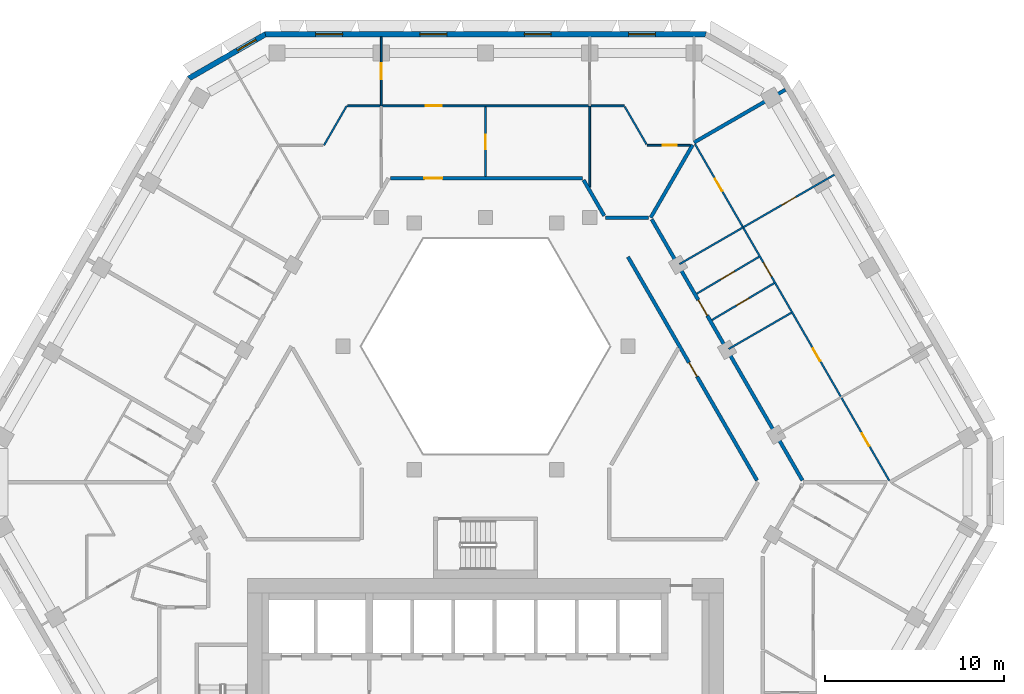
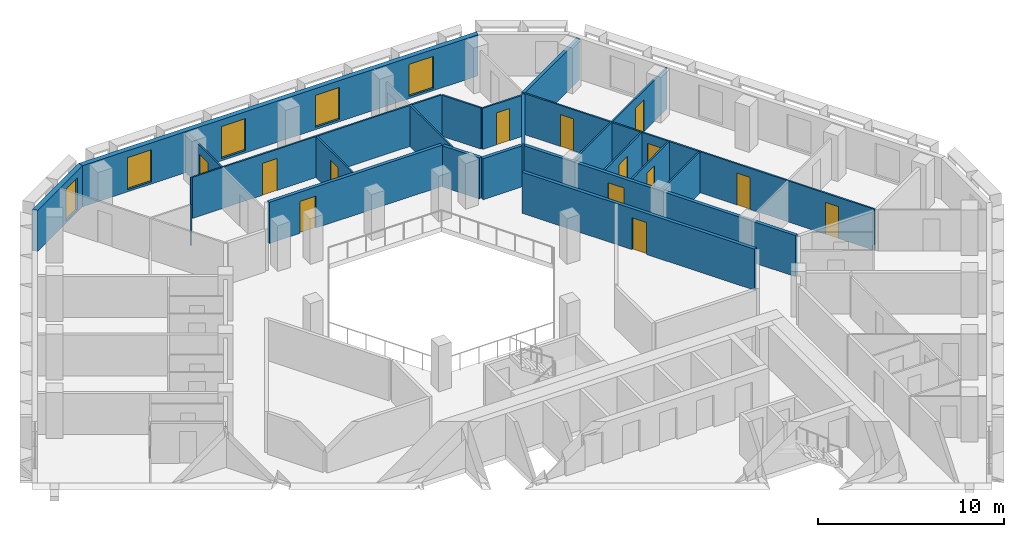
# One storey, part 8 of 15: 22 walls, 14 doors, 5 windows, 19 openings.
"""IFC4 building model written with IfcOpenShell, lengths in metres."""

from ifc_helpers import new_model, si_unit, direction, frame, frame_2d, origin, place, context, subcontext, project, spatial, polyline, rectangle, outline, extrude, material, layer, layer_set, type_object, element, fill, save


model = new_model("IFC4")

# Units and contexts
model_context = context("Model", 3, precision=1e-05, world=origin(), true_north=direction((0.0, 1.0)))
body_context = subcontext(model_context, "Body", "Model", "MODEL_VIEW")
ifc_project = project(units=[si_unit("LENGTHUNIT", "METRE"), si_unit("AREAUNIT", "SQUARE_METRE"), si_unit("VOLUMEUNIT", "CUBIC_METRE"), si_unit("PLANEANGLEUNIT", "RADIAN"), si_unit("MASSUNIT", "GRAM", prefix="KILO")], contexts=[model_context])

# Site, building, storey
site_placement = place(None, origin())
site = spatial("IfcSite", under=ifc_project, at=site_placement, CompositionType="ELEMENT")
building_placement = place(site_placement, origin())
building = spatial("IfcBuilding", under=site, at=building_placement, Name="Beryl Residences", CompositionType="ELEMENT")
storey_placement = place(building_placement, frame((0.0, 0.0, 141.60009765625)))
storey = spatial("IfcBuildingStorey", under=building, at=storey_placement, Name="L43", CompositionType="ELEMENT", Elevation=141.60009765625)

# Wall, openings, windows
ifc_material_1 = material(Name="Composite metal panel with mineral wool insulation")
ifc_layer_1 = layer(ifc_material_1, 0.300048828125)
ifc_layer_set_1 = layer_set([ifc_layer_1], Name="ES1 pale metal composite panel wall 300 mm")
wall_type_1 = type_object("IfcWallType", Name="ES1 pale metal composite panel wall 300 mm", PredefinedType="SOLIDWALL", material=ifc_layer_set_1)
wall_1_placement = place(storey_placement, frame((12.35498046875, 25.449951171875, 0.0), z_axis=(0.0, 0.0, 1.0), x_axis=(-1.0, 0.0, 0.0)))
wall_1 = element("IfcWall", 1, at=wall_1_placement, inside=storey, type_object=wall_type_1, Name="ES1 external wall L43 N", PredefinedType="SOLIDWALL", context=body_context, shape_type="SweptSolid", body=[
    extrude(outline(polyline([(0.0, -0.14990234375), (24.7099609375, -0.14990234375), (24.629638671875, 0.14990234375), (0.080322265625, 0.14990234375), (0.0, -0.14990234375)])), origin(), (0.0, 0.0, 1.0), 2.699951171875),
])
opening_1_placement = place(wall_1_placement, frame((2.85791015625, 0.0, 0.14990234375)))
opening_1 = element("IfcOpeningElement", 2, at=opening_1_placement, cuts=wall_1, Name="Opening W1", PredefinedType="OPENING", context=body_context, shape_type="SweptSolid", body=[
    extrude(rectangle(XDim=1.5, YDim=2.10009765625, at=frame_2d((0.75, 1.050048828125))), frame((0.0, 0.159912109375, 0.0), z_axis=(0.0, -1.0, 0.0), x_axis=(1.0, 0.0, 0.0)), (0.0, 0.0, 1.0), 0.320068359375),
])
opening_2_placement = place(wall_1_placement, frame((8.68896484375, 0.0, 0.14990234375)))
opening_2 = element("IfcOpeningElement", 3, at=opening_2_placement, cuts=wall_1, Name="Opening W1", PredefinedType="OPENING", context=body_context, shape_type="SweptSolid", body=[
    extrude(rectangle(XDim=1.5, YDim=2.10009765625, at=frame_2d((0.75, 1.050048828125))), frame((0.0, 0.159912109375, 0.0), z_axis=(0.0, -1.0, 0.0), x_axis=(1.0, 0.0, 0.0)), (0.0, 0.0, 1.0), 0.320068359375),
])
opening_3_placement = place(wall_1_placement, frame((14.52099609375, 0.0, 0.14990234375)))
opening_3 = element("IfcOpeningElement", 4, at=opening_3_placement, cuts=wall_1, Name="Opening W1", PredefinedType="OPENING", context=body_context, shape_type="SweptSolid", body=[
    extrude(rectangle(XDim=1.5, YDim=2.10009765625, at=frame_2d((0.75, 1.050048828125))), frame((0.0, 0.159912109375, 0.0), z_axis=(0.0, -1.0, 0.0), x_axis=(1.0, 0.0, 0.0)), (0.0, 0.0, 1.0), 0.320068359375),
])
opening_4_placement = place(wall_1_placement, frame((20.35205078125, 0.0, 0.14990234375)))
opening_4 = element("IfcOpeningElement", 5, at=opening_4_placement, cuts=wall_1, Name="Opening W1", PredefinedType="OPENING", context=body_context, shape_type="SweptSolid", body=[
    extrude(rectangle(XDim=1.5, YDim=2.10009765625, at=frame_2d((0.75, 1.050048828125))), frame((0.0, 0.159912109375, 0.0), z_axis=(0.0, -1.0, 0.0), x_axis=(1.0, 0.0, 0.0)), (0.0, 0.0, 1.0), 0.320068359375),
])
ifc_material_2 = material(Name="Aluminium and clear glass", Category="aluminium")
window_type_1 = type_object("IfcWindowType", Name="W1 cell window 1500 x 2100 mm", PartitioningType="SINGLE_PANEL", PredefinedType="WINDOW", material=ifc_material_2)
window_1_placement = place(opening_1_placement, origin())
window_1 = element("IfcWindow", 6, at=window_1_placement, inside=storey, type_object=window_type_1, Name="W1 window L43 N 2", OverallHeight=2.10009765625, OverallWidth=1.5, PartitioningType="SINGLE_PANEL", PredefinedType="WINDOW", context=body_context, shape_type="SweptSolid", body=[
    extrude(rectangle(XDim=1.5, YDim=2.10009765625, at=frame_2d((0.75, 1.050048828125))), frame((0.0, 0.030029296875, 0.0), z_axis=(0.0, -1.0, 0.0), x_axis=(1.0, 0.0, 0.0)), (0.0, 0.0, 1.0), 0.06005859375),
])
fill(opening_1, window_1)
window_2_placement = place(opening_2_placement, origin())
window_2 = element("IfcWindow", 7, at=window_2_placement, inside=storey, type_object=window_type_1, Name="W1 window L43 N 4", OverallHeight=2.10009765625, OverallWidth=1.5, PartitioningType="SINGLE_PANEL", PredefinedType="WINDOW", context=body_context, shape_type="SweptSolid", body=[
    extrude(rectangle(XDim=1.5, YDim=2.10009765625, at=frame_2d((0.75, 1.050048828125))), frame((0.0, 0.030029296875, 0.0), z_axis=(0.0, -1.0, 0.0), x_axis=(1.0, 0.0, 0.0)), (0.0, 0.0, 1.0), 0.06005859375),
])
fill(opening_2, window_2)
window_3_placement = place(opening_3_placement, origin())
window_3 = element("IfcWindow", 8, at=window_3_placement, inside=storey, type_object=window_type_1, Name="W1 window L43 N 6", OverallHeight=2.10009765625, OverallWidth=1.5, PartitioningType="SINGLE_PANEL", PredefinedType="WINDOW", context=body_context, shape_type="SweptSolid", body=[
    extrude(rectangle(XDim=1.5, YDim=2.10009765625, at=frame_2d((0.75, 1.050048828125))), frame((0.0, 0.030029296875, 0.0), z_axis=(0.0, -1.0, 0.0), x_axis=(1.0, 0.0, 0.0)), (0.0, 0.0, 1.0), 0.06005859375),
])
fill(opening_3, window_3)
window_4_placement = place(opening_4_placement, origin())
window_4 = element("IfcWindow", 9, at=window_4_placement, inside=storey, type_object=window_type_1, Name="W1 window L43 N 8", OverallHeight=2.10009765625, OverallWidth=1.5, PartitioningType="SINGLE_PANEL", PredefinedType="WINDOW", context=body_context, shape_type="SweptSolid", body=[
    extrude(rectangle(XDim=1.5, YDim=2.10009765625, at=frame_2d((0.75, 1.050048828125))), frame((0.0, 0.030029296875, 0.0), z_axis=(0.0, -1.0, 0.0), x_axis=(1.0, 0.0, 0.0)), (0.0, 0.0, 1.0), 0.06005859375),
])
fill(opening_4, window_4)

# Wall, opening, window
wall_2_placement = place(storey_placement, frame((-12.280029296875, 25.469970703125, 0.0), z_axis=(0.0, 0.0, 1.0), x_axis=(-0.866022959057, -0.500004234368, 0.0)))
wall_2 = element("IfcWall", 10, at=wall_2_placement, inside=storey, type_object=wall_type_1, Name="ES1 external wall L43 N-NW", PredefinedType="SOLIDWALL", context=body_context, shape_type="SweptSolid", body=[
    extrude(outline(polyline([(0.0, -0.14990234375), (5.0, -0.14990234375), (4.919677734375, 0.14990234375), (0.080322265625, 0.14990234375), (0.0, -0.14990234375)])), origin(), (0.0, 0.0, 1.0), 2.699951171875),
])
opening_5_placement = place(wall_2_placement, frame((0.64990234375, 0.0, 0.14990234375)))
opening_5 = element("IfcOpeningElement", 11, at=opening_5_placement, cuts=wall_2, Name="Opening W2", PredefinedType="OPENING", context=body_context, shape_type="SweptSolid", body=[
    extrude(rectangle(XDim=1.199951171875, YDim=2.10009765625, at=frame_2d((0.60009765625, 1.050048828125))), frame((0.0, 0.159912109375, 0.0), z_axis=(0.0, -1.0, 0.0), x_axis=(1.0, 0.0, 0.0)), (0.0, 0.0, 1.0), 0.320068359375),
])
ifc_material_3 = material(Name="Aluminium and clear glass", Category="aluminium")
window_type_2 = type_object("IfcWindowType", Name="W2 chamfer window 1200 x 2100 mm", PartitioningType="SINGLE_PANEL", PredefinedType="WINDOW", material=ifc_material_3)
window_5_placement = place(opening_5_placement, origin())
window_5 = element("IfcWindow", 12, at=window_5_placement, inside=storey, type_object=window_type_2, Name="W2 window L43 N-NW 1", OverallHeight=2.10009765625, OverallWidth=1.199951171875, PartitioningType="SINGLE_PANEL", PredefinedType="WINDOW", context=body_context, shape_type="SweptSolid", body=[
    extrude(rectangle(XDim=1.199951171875, YDim=2.10009765625, at=frame_2d((0.60009765625, 1.050048828125))), frame((0.0, 0.030029296875, 0.0), z_axis=(0.0, -1.0, 0.0), x_axis=(1.0, 0.0, 0.0)), (0.0, 0.0, 1.0), 0.06005859375),
])
fill(opening_5, window_5)

# Wall
ifc_material_4 = material(Name="Gypsum board partition on steel studs", Category="steel")
ifc_layer_2 = layer(ifc_material_4, 0.10009765625)
ifc_layer_set_2 = layer_set([ifc_layer_2], Name="PT1 partition 100 mm gypsum board on steel studs")
wall_type_2 = type_object("IfcWallType", Name="PT1 partition 100 mm gypsum board on steel studs", PredefinedType="PARTITIONING", material=ifc_layer_set_2)
wall_3_placement = place(storey_placement, frame((7.7919921875, 21.39599609375, 0.0), z_axis=(0.0, 0.0, 1.0), x_axis=(0.50012328804, -0.865954211699, 0.0)))
element("IfcWall", 13, at=wall_3_placement, inside=storey, type_object=wall_type_2, Name="Wall PT1 L43 003", PredefinedType="PARTITIONING", context=body_context, shape_type="SweptSolid", body=[
    extrude(rectangle(XDim=2.42529296875, YDim=0.10009765625, at=frame_2d((1.212646484375, 0.0))), origin(), (0.0, 0.0, 1.0), 2.699951171875),
])

# Wall, openings, doors
wall_4_placement = place(storey_placement, frame((11.712890625, 19.31298828125, 0.0), z_axis=(0.0, 0.0, 1.0), x_axis=(0.499999523185, -0.866025679073, 0.0)))
wall_4 = element("IfcWall", 14, at=wall_4_placement, inside=storey, type_object=wall_type_2, Name="Wall PT1 L43 004", PredefinedType="PARTITIONING", context=body_context, shape_type="SweptSolid", body=[
    extrude(rectangle(XDim=21.73828125, YDim=0.10009765625, at=frame_2d((10.869140625, 0.0))), origin(), (0.0, 0.0, 1.0), 2.699951171875),
])
opening_6_placement = place(wall_4_placement, frame((7.654052734375, 0.0, 0.0)))
opening_6 = element("IfcOpeningElement", 15, at=opening_6_placement, cuts=wall_4, Name="Opening D1322", PredefinedType="OPENING", context=body_context, shape_type="SweptSolid", body=[
    extrude(rectangle(XDim=0.89990234375, YDim=2.10009765625, at=frame_2d((0.449951171875, 1.050048828125))), frame((0.0, 0.06005859375, 0.0), z_axis=(0.0, -1.0, 0.0), x_axis=(1.0, 0.0, 0.0)), (0.0, 0.0, 1.0), 0.1201171875),
])
opening_7_placement = place(wall_4_placement, frame((13.201904296875, 0.0, 0.0)))
opening_7 = element("IfcOpeningElement", 16, at=opening_7_placement, cuts=wall_4, Name="Opening D1325", PredefinedType="OPENING", context=body_context, shape_type="SweptSolid", body=[
    extrude(rectangle(XDim=0.800048828125, YDim=2.10009765625, at=frame_2d((0.39990234375, 1.050048828125))), frame((0.0, 0.06005859375, 0.0), z_axis=(0.0, -1.0, 0.0), x_axis=(1.0, 0.0, 0.0)), (0.0, 0.0, 1.0), 0.1201171875),
])
opening_8_placement = place(wall_4_placement, frame((2.241943359375, 0.0, 0.0)))
opening_8 = element("IfcOpeningElement", 17, at=opening_8_placement, cuts=wall_4, Name="Opening D1326", PredefinedType="OPENING", context=body_context, shape_type="SweptSolid", body=[
    extrude(rectangle(XDim=0.800048828125, YDim=2.10009765625, at=frame_2d((0.39990234375, 1.050048828125))), frame((0.0, 0.06005859375, 0.0), z_axis=(0.0, -1.0, 0.0), x_axis=(1.0, 0.0, 0.0)), (0.0, 0.0, 1.0), 0.1201171875),
])
opening_9_placement = place(wall_4_placement, frame((18.696044921875, 0.0, 0.0)))
opening_9 = element("IfcOpeningElement", 18, at=opening_9_placement, cuts=wall_4, Name="Opening D1327", PredefinedType="OPENING", context=body_context, shape_type="SweptSolid", body=[
    extrude(rectangle(XDim=0.800048828125, YDim=2.10009765625, at=frame_2d((0.39990234375, 1.050048828125))), frame((0.0, 0.06005859375, 0.0), z_axis=(0.0, -1.0, 0.0), x_axis=(1.0, 0.0, 0.0)), (0.0, 0.0, 1.0), 0.1201171875),
])
ifc_material_5 = material(Name="Timber door leaf", Category="wood")
door_type_1 = type_object("IfcDoorType", Name="D2 room door 900 x 2100 mm", OperationType="SINGLE_SWING_LEFT", PredefinedType="DOOR", material=ifc_material_5)
door_1_placement = place(opening_6_placement, origin())
door_1 = element("IfcDoor", 19, at=door_1_placement, inside=storey, type_object=door_type_1, Name="Door D1322 L43 001", OperationType="SINGLE_SWING_RIGHT", OverallHeight=2.10009765625, OverallWidth=0.89990234375, PredefinedType="DOOR", context=body_context, shape_type="SweptSolid", body=[
    extrude(rectangle(XDim=0.89990234375, YDim=2.10009765625, at=frame_2d((0.449951171875, 1.050048828125))), frame((0.0, 0.02490234375, 0.0), z_axis=(0.0, -1.0, 0.0), x_axis=(1.0, 0.0, 0.0)), (0.0, 0.0, 1.0), 0.050048828125),
])
fill(opening_6, door_1)
ifc_material_6 = material(Name="Timber door leaf", Category="wood")
door_type_2 = type_object("IfcDoorType", Name="D3 bathroom door 800 x 2100 mm", OperationType="SINGLE_SWING_LEFT", PredefinedType="DOOR", material=ifc_material_6)
door_2_placement = place(opening_7_placement, origin())
door_2 = element("IfcDoor", 20, at=door_2_placement, inside=storey, type_object=door_type_2, Name="Door D1325 L43 001", OperationType="SINGLE_SWING_LEFT", OverallHeight=2.10009765625, OverallWidth=0.800048828125, PredefinedType="DOOR", context=body_context, shape_type="SweptSolid", body=[
    extrude(rectangle(XDim=0.800048828125, YDim=2.10009765625, at=frame_2d((0.39990234375, 1.050048828125))), frame((0.0, 0.02490234375, 0.0), z_axis=(0.0, -1.0, 0.0), x_axis=(1.0, 0.0, 0.0)), (0.0, 0.0, 1.0), 0.050048828125),
])
fill(opening_7, door_2)
door_3_placement = place(opening_8_placement, origin())
door_3 = element("IfcDoor", 21, at=door_3_placement, inside=storey, type_object=door_type_2, Name="Door D1326 L43 001", OperationType="SINGLE_SWING_RIGHT", OverallHeight=2.10009765625, OverallWidth=0.800048828125, PredefinedType="DOOR", context=body_context, shape_type="SweptSolid", body=[
    extrude(rectangle(XDim=0.800048828125, YDim=2.10009765625, at=frame_2d((0.39990234375, 1.050048828125))), frame((0.0, 0.02490234375, 0.0), z_axis=(0.0, -1.0, 0.0), x_axis=(1.0, 0.0, 0.0)), (0.0, 0.0, 1.0), 0.050048828125),
])
fill(opening_8, door_3)
door_4_placement = place(opening_9_placement, origin())
door_4 = element("IfcDoor", 22, at=door_4_placement, inside=storey, type_object=door_type_2, Name="Door D1327 L43 001", OperationType="SINGLE_SWING_LEFT", OverallHeight=2.10009765625, OverallWidth=0.800048828125, PredefinedType="DOOR", context=body_context, shape_type="SweptSolid", body=[
    extrude(rectangle(XDim=0.800048828125, YDim=2.10009765625, at=frame_2d((0.39990234375, 1.050048828125))), frame((0.0, 0.02490234375, 0.0), z_axis=(0.0, -1.0, 0.0), x_axis=(1.0, 0.0, 0.0)), (0.0, 0.0, 1.0), 0.050048828125),
])
fill(opening_9, door_4)

# Wall, opening, door
wall_5_placement = place(storey_placement, frame((9.032958984375, 19.24609375, 0.0), z_axis=(0.0, 0.0, 1.0), x_axis=(1.0, 0.0, 0.0)))
wall_5 = element("IfcWall", 23, at=wall_5_placement, inside=storey, type_object=wall_type_2, Name="Wall PT1 L43 026", PredefinedType="PARTITIONING", context=body_context, shape_type="SweptSolid", body=[
    extrude(rectangle(XDim=2.425048828125, YDim=0.10009765625, at=frame_2d((1.21240234375, 0.0))), origin(), (0.0, 0.0, 1.0), 2.699951171875),
])
opening_10_placement = place(wall_5_placement, frame((0.8701171875, 0.0, 0.0)))
opening_10 = element("IfcOpeningElement", 24, at=opening_10_placement, cuts=wall_5, Name="Opening D1336", PredefinedType="OPENING", context=body_context, shape_type="SweptSolid", body=[
    extrude(rectangle(XDim=0.800048828125, YDim=2.10009765625, at=frame_2d((0.39990234375, 1.050048828125))), frame((0.0, 0.06005859375, 0.0), z_axis=(0.0, -1.0, 0.0), x_axis=(1.0, 0.0, 0.0)), (0.0, 0.0, 1.0), 0.1201171875),
])
door_5_placement = place(opening_10_placement, origin())
door_5 = element("IfcDoor", 25, at=door_5_placement, inside=storey, type_object=door_type_2, Name="Door D1336 L43 001", OperationType="SINGLE_SWING_RIGHT", OverallHeight=2.10009765625, OverallWidth=0.800048828125, PredefinedType="DOOR", context=body_context, shape_type="SweptSolid", body=[
    extrude(rectangle(XDim=0.800048828125, YDim=2.10009765625, at=frame_2d((0.39990234375, 1.050048828125))), frame((0.0, 0.02490234375, 0.0), z_axis=(0.0, -1.0, 0.0), x_axis=(1.0, 0.0, 0.0)), (0.0, 0.0, 1.0), 0.050048828125),
])
fill(opening_10, door_5)

wall_6_placement = place(storey_placement, frame((-7.7060546875, 21.446044921875, 0.0), z_axis=(0.0, 0.0, 1.0), x_axis=(1.0, 0.0, 0.0)))
wall_6 = element("IfcWall", 26, at=wall_6_placement, inside=storey, type_object=wall_type_2, Name="Wall PT1 L43 027", PredefinedType="PARTITIONING", context=body_context, shape_type="SweptSolid", body=[
    extrude(rectangle(XDim=15.468994140625, YDim=0.10009765625, at=frame_2d((7.734375, 0.0))), origin(), (0.0, 0.0, 1.0), 2.699951171875),
])
opening_11_placement = place(wall_6_placement, frame((4.35009765625, 0.0, 0.0)))
opening_11 = element("IfcOpeningElement", 27, at=opening_11_placement, cuts=wall_6, Name="Opening D1329", PredefinedType="OPENING", context=body_context, shape_type="SweptSolid", body=[
    extrude(rectangle(XDim=0.89990234375, YDim=2.10009765625, at=frame_2d((0.449951171875, 1.050048828125))), frame((0.0, 0.06005859375, 0.0), z_axis=(0.0, -1.0, 0.0), x_axis=(1.0, 0.0, 0.0)), (0.0, 0.0, 1.0), 0.1201171875),
])
door_6_placement = place(opening_11_placement, origin())
door_6 = element("IfcDoor", 28, at=door_6_placement, inside=storey, type_object=door_type_1, Name="Door D1329 L43 001", OperationType="SINGLE_SWING_LEFT", OverallHeight=2.10009765625, OverallWidth=0.89990234375, PredefinedType="DOOR", context=body_context, shape_type="SweptSolid", body=[
    extrude(rectangle(XDim=0.89990234375, YDim=2.10009765625, at=frame_2d((0.449951171875, 1.050048828125))), frame((0.0, 0.02490234375, 0.0), z_axis=(0.0, -1.0, 0.0), x_axis=(1.0, 0.0, 0.0)), (0.0, 0.0, 1.0), 0.050048828125),
])
fill(opening_11, door_6)

# Walls
wall_7_placement = place(storey_placement, frame((-9.032958984375, 19.24609375, 0.0), z_axis=(0.0, 0.0, 1.0), x_axis=(0.499963722229, 0.866046347752, 0.0)))
element("IfcWall", 29, at=wall_7_placement, inside=storey, type_object=wall_type_2, Name="Wall PT1 L43 030", PredefinedType="PARTITIONING", context=body_context, shape_type="SweptSolid", body=[
    extrude(rectangle(XDim=2.540283203125, YDim=0.10009765625, at=frame_2d((1.27001953125, 0.0))), origin(), (0.0, 0.0, 1.0), 2.699951171875),
])
wall_8_placement = place(storey_placement, frame((5.8310546875, 16.89990234375, 0.0), z_axis=(0.0, 0.0, 1.0), x_axis=(0.0, 1.0, 0.0)))
element("IfcWall", 30, at=wall_8_placement, inside=storey, type_object=wall_type_2, Name="Wall PT1 L43 038", PredefinedType="PARTITIONING", context=body_context, shape_type="SweptSolid", body=[
    extrude(rectangle(XDim=4.546142578125, YDim=0.10009765625, at=frame_2d((2.27294921875, 0.0))), origin(), (0.0, 0.0, 1.0), 2.699951171875),
])

# Wall, opening, door
wall_9_placement = place(storey_placement, frame((0.0, 17.5, 0.0), z_axis=(0.0, 0.0, 1.0), x_axis=(0.0, 1.0, 0.0)))
wall_9 = element("IfcWall", 31, at=wall_9_placement, inside=storey, type_object=wall_type_2, Name="Wall PT1 L43 043", PredefinedType="PARTITIONING", context=body_context, shape_type="SweptSolid", body=[
    extrude(rectangle(XDim=3.89599609375, YDim=0.10009765625, at=frame_2d((1.947998046875, 0.0))), origin(), (0.0, 0.0, 1.0), 2.699951171875),
])
opening_12_placement = place(wall_9_placement, frame((1.52294921875, 0.0, 0.0)))
opening_12 = element("IfcOpeningElement", 32, at=opening_12_placement, cuts=wall_9, Name="Opening D1331", PredefinedType="OPENING", context=body_context, shape_type="SweptSolid", body=[
    extrude(rectangle(XDim=0.800048828125, YDim=2.10009765625, at=frame_2d((0.39990234375, 1.050048828125))), frame((0.0, 0.06005859375, 0.0), z_axis=(0.0, -1.0, 0.0), x_axis=(1.0, 0.0, 0.0)), (0.0, 0.0, 1.0), 0.1201171875),
])
door_7_placement = place(opening_12_placement, origin())
door_7 = element("IfcDoor", 33, at=door_7_placement, inside=storey, type_object=door_type_2, Name="Door D1331 L43 001", OperationType="SINGLE_SWING_LEFT", OverallHeight=2.10009765625, OverallWidth=0.800048828125, PredefinedType="DOOR", context=body_context, shape_type="SweptSolid", body=[
    extrude(rectangle(XDim=0.800048828125, YDim=2.10009765625, at=frame_2d((0.39990234375, 1.050048828125))), frame((0.0, 0.02490234375, 0.0), z_axis=(0.0, -1.0, 0.0), x_axis=(1.0, 0.0, 0.0)), (0.0, 0.0, 1.0), 0.050048828125),
])
fill(opening_12, door_7)

# Walls
wall_10_placement = place(storey_placement, frame((13.596923828125, 7.85009765625, 0.0), z_axis=(0.0, 0.0, 1.0), x_axis=(0.866015917575, 0.500016430238, 0.0)))
element("IfcWall", 34, at=wall_10_placement, inside=storey, type_object=wall_type_2, Name="Wall PT1 L43 048", PredefinedType="PARTITIONING", context=body_context, shape_type="SweptSolid", body=[
    extrude(rectangle(XDim=4.049560546875, YDim=0.10009765625, at=frame_2d((2.02490234375, 0.0))), origin(), (0.0, 0.0, 1.0), 2.699951171875),
])
wall_11_placement = place(storey_placement, frame((10.85400390625, 12.60009765625, 0.0), z_axis=(0.0, 0.0, 1.0), x_axis=(0.86606561423, 0.499930346997, 0.0)))
element("IfcWall", 35, at=wall_11_placement, inside=storey, type_object=wall_type_2, Name="Wall PT1 L43 049", PredefinedType="PARTITIONING", context=body_context, shape_type="SweptSolid", body=[
    extrude(rectangle(XDim=4.10009765625, YDim=0.10009765625, at=frame_2d((2.050048828125, 0.0))), origin(), (0.0, 0.0, 1.0), 2.699951171875),
])

# Wall, opening, door
wall_12_placement = place(storey_placement, frame((11.81201171875, 10.94189453125, 0.0), z_axis=(0.0, 0.0, 1.0), x_axis=(0.860404104761, 0.509612378687, 0.0)))
wall_12 = element("IfcWall", 36, at=wall_12_placement, inside=storey, type_object=wall_type_2, Name="Wall PT1 L43 051", PredefinedType="PARTITIONING", context=body_context, shape_type="SweptSolid", body=[
    extrude(rectangle(XDim=4.050537109375, YDim=0.10009765625, at=frame_2d((2.025390625, 0.0))), origin(), (0.0, 0.0, 1.0), 2.699951171875),
])
opening_13_placement = place(wall_12_placement, frame((1.550048828125, 0.0, 0.0)))
opening_13 = element("IfcOpeningElement", 37, at=opening_13_placement, cuts=wall_12, Name="Opening D1321", PredefinedType="OPENING", context=body_context, shape_type="SweptSolid", body=[
    extrude(rectangle(XDim=0.89990234375, YDim=2.10009765625, at=frame_2d((0.449951171875, 1.050048828125))), frame((0.0, 0.06005859375, 0.0), z_axis=(0.0, -1.0, 0.0), x_axis=(1.0, 0.0, 0.0)), (0.0, 0.0, 1.0), 0.1201171875),
])
door_8_placement = place(opening_13_placement, origin())
door_8 = element("IfcDoor", 38, at=door_8_placement, inside=storey, type_object=door_type_1, Name="Door D1321 L43 001", OperationType="SINGLE_SWING_LEFT", OverallHeight=2.10009765625, OverallWidth=0.89990234375, PredefinedType="DOOR", context=body_context, shape_type="SweptSolid", body=[
    extrude(rectangle(XDim=0.89990234375, YDim=2.10009765625, at=frame_2d((0.449951171875, 1.050048828125))), frame((0.0, 0.02490234375, 0.0), z_axis=(0.0, -1.0, 0.0), x_axis=(1.0, 0.0, 0.0)), (0.0, 0.0, 1.0), 0.050048828125),
])
fill(opening_13, door_8)

wall_13_placement = place(storey_placement, frame((12.662109375, 9.469970703125, 0.0), z_axis=(0.0, 0.0, 1.0), x_axis=(0.860520594262, 0.509415652341, 0.0)))
wall_13 = element("IfcWall", 39, at=wall_13_placement, inside=storey, type_object=wall_type_2, Name="Wall PT1 L43 052", PredefinedType="PARTITIONING", context=body_context, shape_type="SweptSolid", body=[
    extrude(rectangle(XDim=4.0498046875, YDim=0.10009765625, at=frame_2d((2.02490234375, 0.0))), origin(), (0.0, 0.0, 1.0), 2.699951171875),
])
opening_14_placement = place(wall_13_placement, frame((1.60009765625, 0.0, 0.0)))
opening_14 = element("IfcOpeningElement", 40, at=opening_14_placement, cuts=wall_13, Name="Opening D1320", PredefinedType="OPENING", context=body_context, shape_type="SweptSolid", body=[
    extrude(rectangle(XDim=0.800048828125, YDim=2.10009765625, at=frame_2d((0.39990234375, 1.050048828125))), frame((0.0, 0.06005859375, 0.0), z_axis=(0.0, -1.0, 0.0), x_axis=(1.0, 0.0, 0.0)), (0.0, 0.0, 1.0), 0.1201171875),
])
door_9_placement = place(opening_14_placement, origin())
door_9 = element("IfcDoor", 41, at=door_9_placement, inside=storey, type_object=door_type_2, Name="Door D1320 L43 001", OperationType="SINGLE_SWING_RIGHT", OverallHeight=2.10009765625, OverallWidth=0.800048828125, PredefinedType="DOOR", context=body_context, shape_type="SweptSolid", body=[
    extrude(rectangle(XDim=0.800048828125, YDim=2.10009765625, at=frame_2d((0.39990234375, 1.050048828125))), frame((0.0, 0.02490234375, 0.0), z_axis=(0.0, -1.0, 0.0), x_axis=(1.0, 0.0, 0.0)), (0.0, 0.0, 1.0), 0.050048828125),
])
fill(opening_14, door_9)

wall_14_placement = place(storey_placement, frame((14.405029296875, 14.64990234375, 0.0), z_axis=(0.0, 0.0, 1.0), x_axis=(0.866054644421, 0.499949350311, 0.0)))
wall_14 = element("IfcWall", 42, at=wall_14_placement, inside=storey, type_object=wall_type_2, Name="Wall PT1 L43 054", PredefinedType="PARTITIONING", context=body_context, shape_type="SweptSolid", body=[
    extrude(rectangle(XDim=5.89892578125, YDim=0.10009765625, at=frame_2d((2.949462890625, 0.0))), origin(), (0.0, 0.0, 1.0), 2.699951171875),
])
opening_15_placement = place(wall_14_placement, frame((2.5, 0.0, 0.0)))
opening_15 = element("IfcOpeningElement", 43, at=opening_15_placement, cuts=wall_14, Name="Opening D1324", PredefinedType="OPENING", context=body_context, shape_type="SweptSolid", body=[
    extrude(rectangle(XDim=0.89990234375, YDim=2.10009765625, at=frame_2d((0.449951171875, 1.050048828125))), frame((0.0, 0.06005859375, 0.0), z_axis=(0.0, -1.0, 0.0), x_axis=(1.0, 0.0, 0.0)), (0.0, 0.0, 1.0), 0.1201171875),
])
door_10_placement = place(opening_15_placement, origin())
door_10 = element("IfcDoor", 44, at=door_10_placement, inside=storey, type_object=door_type_1, Name="Door D1324 L43 001", OperationType="SINGLE_SWING_RIGHT", OverallHeight=2.10009765625, OverallWidth=0.89990234375, PredefinedType="DOOR", context=body_context, shape_type="SweptSolid", body=[
    extrude(rectangle(XDim=0.89990234375, YDim=2.10009765625, at=frame_2d((0.449951171875, 1.050048828125))), frame((0.0, 0.02490234375, 0.0), z_axis=(0.0, -1.0, 0.0), x_axis=(1.0, 0.0, 0.0)), (0.0, 0.0, 1.0), 0.050048828125),
])
fill(opening_15, door_10)

wall_15_placement = place(storey_placement, frame((-5.8310546875, 21.446044921875, 0.0), z_axis=(0.0, 0.0, 1.0), x_axis=(0.0, 1.0, 0.0)))
wall_15 = element("IfcWall", 45, at=wall_15_placement, inside=storey, type_object=wall_type_2, Name="Wall PT1 L43 056", PredefinedType="PARTITIONING", context=body_context, shape_type="SweptSolid", body=[
    extrude(rectangle(XDim=3.85400390625, YDim=0.10009765625, at=frame_2d((1.927001953125, 0.0))), origin(), (0.0, 0.0, 1.0), 2.699951171875),
])
opening_16_placement = place(wall_15_placement, frame((1.47705078125, 0.0, 0.0)))
opening_16 = element("IfcOpeningElement", 46, at=opening_16_placement, cuts=wall_15, Name="Opening D1333", PredefinedType="OPENING", context=body_context, shape_type="SweptSolid", body=[
    extrude(rectangle(XDim=0.89990234375, YDim=2.10009765625, at=frame_2d((0.449951171875, 1.050048828125))), frame((0.0, 0.06005859375, 0.0), z_axis=(0.0, -1.0, 0.0), x_axis=(1.0, 0.0, 0.0)), (0.0, 0.0, 1.0), 0.1201171875),
])
door_11_placement = place(opening_16_placement, origin())
door_11 = element("IfcDoor", 47, at=door_11_placement, inside=storey, type_object=door_type_1, Name="Door D1333 L43 001", OperationType="SINGLE_SWING_LEFT", OverallHeight=2.10009765625, OverallWidth=0.89990234375, PredefinedType="DOOR", context=body_context, shape_type="SweptSolid", body=[
    extrude(rectangle(XDim=0.89990234375, YDim=2.10009765625, at=frame_2d((0.449951171875, 1.050048828125))), frame((0.0, 0.02490234375, 0.0), z_axis=(0.0, -1.0, 0.0), x_axis=(1.0, 0.0, 0.0)), (0.0, 0.0, 1.0), 0.050048828125),
])
fill(opening_16, door_11)

# Walls
ifc_material_7 = material(Name="Acoustic double stud gypsum board wall")
ifc_layer_3 = layer(ifc_material_7, 0.199951171875)
ifc_layer_set_3 = layer_set([ifc_layer_3], Name="PT3 party wall 200 mm acoustic double stud")
wall_type_3 = type_object("IfcWallType", Name="PT3 party wall 200 mm acoustic double stud", PredefinedType="PARTITIONING", material=ifc_layer_set_3)
wall_16_placement = place(storey_placement, frame((9.238037109375, 15.199951171875, 0.0), z_axis=(0.0, 0.0, 1.0), x_axis=(0.49993863487, 0.86606083006, 0.0)))
element("IfcWall", 48, at=wall_16_placement, inside=storey, type_object=wall_type_3, Name="Wall PT3 L43 008", PredefinedType="PARTITIONING", context=body_context, shape_type="SweptSolid", body=[
    extrude(rectangle(XDim=4.6923828125, YDim=0.199951171875, at=frame_2d((2.34619140625, 0.0))), origin(), (0.0, 0.0, 1.0), 2.699951171875),
])
wall_17_placement = place(storey_placement, frame((11.6630859375, 19.39990234375, 0.0), z_axis=(0.0, 0.0, 1.0), x_axis=(0.865941558533, 0.500145196124, 0.0)))
element("IfcWall", 49, at=wall_17_placement, inside=storey, type_object=wall_type_3, Name="Wall PT3 L43 014", PredefinedType="PARTITIONING", context=body_context, shape_type="SweptSolid", body=[
    extrude(rectangle(XDim=5.898681640625, YDim=0.199951171875, at=frame_2d((2.94921875, 0.0))), origin(), (0.0, 0.0, 1.0), 2.699951171875),
])
ifc_material_8 = material(Name="Double stud gypsum board wall")
ifc_layer_4 = layer(ifc_material_8, 0.199951171875)
ifc_layer_set_4 = layer_set([ifc_layer_4], Name="PT4 corridor wall 200 mm double stud")
wall_type_4 = type_object("IfcWallType", Name="PT4 corridor wall 200 mm double stud", PredefinedType="PARTITIONING", material=ifc_layer_set_4)
wall_18_placement = place(storey_placement, frame((5.485107421875, 17.300048828125, 0.0), z_axis=(0.0, 0.0, 1.0), x_axis=(0.500027479704, -0.866009537788, 0.0)))
element("IfcWall", 50, at=wall_18_placement, inside=storey, type_object=wall_type_4, Name="Wall PT4 L43 005", PredefinedType="PARTITIONING", context=body_context, shape_type="SweptSolid", body=[
    extrude(rectangle(XDim=2.309326171875, YDim=0.199951171875, at=frame_2d((1.15478515625, 0.0))), origin(), (0.0, 0.0, 1.0), 2.699951171875),
])

# Wall, opening, door
wall_19_placement = place(storey_placement, frame((7.967041015625, 13.0, 0.0), z_axis=(0.0, 0.0, 1.0), x_axis=(0.50003774998, -0.866003607726, 0.0)))
wall_19 = element("IfcWall", 51, at=wall_19_placement, inside=storey, type_object=wall_type_4, Name="Wall PT4 L43 006", PredefinedType="PARTITIONING", context=body_context, shape_type="SweptSolid", body=[
    extrude(rectangle(XDim=14.43310546875, YDim=0.199951171875, at=frame_2d((7.216552734375, 0.0))), origin(), (0.0, 0.0, 1.0), 2.699951171875),
])
opening_17_placement = place(wall_19_placement, frame((6.823974609375, 0.0, 0.0)))
opening_17 = element("IfcOpeningElement", 52, at=opening_17_placement, cuts=wall_19, Name="Opening D1357", PredefinedType="OPENING", context=body_context, shape_type="SweptSolid", body=[
    extrude(rectangle(XDim=0.89990234375, YDim=2.10009765625, at=frame_2d((0.449951171875, 1.050048828125))), frame((0.0, 0.10986328125, 0.0), z_axis=(0.0, -1.0, 0.0), x_axis=(1.0, 0.0, 0.0)), (0.0, 0.0, 1.0), 0.219970703125),
])
door_12_placement = place(opening_17_placement, origin())
door_12 = element("IfcDoor", 53, at=door_12_placement, inside=storey, type_object=door_type_1, Name="Door D1357 L43 001", OperationType="SINGLE_SWING_LEFT", OverallHeight=2.10009765625, OverallWidth=0.89990234375, PredefinedType="DOOR", context=body_context, shape_type="SweptSolid", body=[
    extrude(rectangle(XDim=0.89990234375, YDim=2.10009765625, at=frame_2d((0.449951171875, 1.050048828125))), frame((0.0, 0.02490234375, 0.0), z_axis=(0.0, -1.0, 0.0), x_axis=(1.0, 0.0, 0.0)), (0.0, 0.0, 1.0), 0.050048828125),
])
fill(opening_17, door_12)

wall_20_placement = place(storey_placement, frame((9.2958984375, 15.10009765625, 0.0), z_axis=(0.0, 0.0, 1.0), x_axis=(0.499974024244, -0.866040400375, 0.0)))
wall_20 = element("IfcWall", 54, at=wall_20_placement, inside=storey, type_object=wall_type_4, Name="Wall PT4 L43 007", PredefinedType="PARTITIONING", context=body_context, shape_type="SweptSolid", body=[
    extrude(rectangle(XDim=16.857421875, YDim=0.199951171875, at=frame_2d((8.4287109375, 0.0))), origin(), (0.0, 0.0, 1.0), 2.699951171875),
])
opening_18_placement = place(wall_20_placement, frame((5.208984375, 0.0, 0.0)))
opening_18 = element("IfcOpeningElement", 55, at=opening_18_placement, cuts=wall_20, Name="Opening D1319", PredefinedType="OPENING", context=body_context, shape_type="SweptSolid", body=[
    extrude(rectangle(XDim=1.0, YDim=2.10009765625, at=frame_2d((0.5, 1.050048828125))), frame((0.0, 0.10986328125, 0.0), z_axis=(0.0, -1.0, 0.0), x_axis=(1.0, 0.0, 0.0)), (0.0, 0.0, 1.0), 0.219970703125),
])
ifc_material_9 = material(Name="Timber door leaf", Category="wood")
door_type_3 = type_object("IfcDoorType", Name="D1 flat entrance door 1000 x 2100 mm", OperationType="SINGLE_SWING_LEFT", PredefinedType="DOOR", material=ifc_material_9)
door_13_placement = place(opening_18_placement, origin())
door_13 = element("IfcDoor", 56, at=door_13_placement, inside=storey, type_object=door_type_3, Name="Door D1319 L43 001", OperationType="SINGLE_SWING_LEFT", OverallHeight=2.10009765625, OverallWidth=1.0, PredefinedType="DOOR", context=body_context, shape_type="SweptSolid", body=[
    extrude(rectangle(XDim=1.0, YDim=2.10009765625, at=frame_2d((0.5, 1.050048828125))), frame((0.0, 0.02490234375, 0.0), z_axis=(0.0, -1.0, 0.0), x_axis=(1.0, 0.0, 0.0)), (0.0, 0.0, 1.0), 0.050048828125),
])
fill(opening_18, door_13)

# Wall
wall_21_placement = place(storey_placement, frame((6.697021484375, 15.199951171875, 0.0), z_axis=(0.0, 0.0, 1.0), x_axis=(1.0, 0.0, 0.0)))
element("IfcWall", 57, at=wall_21_placement, inside=storey, type_object=wall_type_4, Name="Wall PT4 L43 015", PredefinedType="PARTITIONING", context=body_context, shape_type="SweptSolid", body=[
    extrude(rectangle(XDim=2.425048828125, YDim=0.199951171875, at=frame_2d((1.21240234375, 0.0))), origin(), (0.0, 0.0, 1.0), 2.699951171875),
])

# Wall, opening, door
wall_22_placement = place(storey_placement, frame((-5.31201171875, 17.39990234375, 0.0), z_axis=(0.0, 0.0, 1.0), x_axis=(1.0, 0.0, 0.0)))
wall_22 = element("IfcWall", 58, at=wall_22_placement, inside=storey, type_object=wall_type_4, Name="Wall PT4 L43 016", PredefinedType="PARTITIONING", context=body_context, shape_type="SweptSolid", body=[
    extrude(rectangle(XDim=10.739013671875, YDim=0.199951171875, at=frame_2d((5.36962890625, 0.0))), origin(), (0.0, 0.0, 1.0), 2.699951171875),
])
opening_19_placement = place(wall_22_placement, frame((1.89599609375, 0.0, 0.0)))
opening_19 = element("IfcOpeningElement", 59, at=opening_19_placement, cuts=wall_22, Name="Opening D1328", PredefinedType="OPENING", context=body_context, shape_type="SweptSolid", body=[
    extrude(rectangle(XDim=1.0, YDim=2.10009765625, at=frame_2d((0.5, 1.050048828125))), frame((0.0, 0.10986328125, 0.0), z_axis=(0.0, -1.0, 0.0), x_axis=(1.0, 0.0, 0.0)), (0.0, 0.0, 1.0), 0.219970703125),
])
door_14_placement = place(opening_19_placement, origin())
door_14 = element("IfcDoor", 60, at=door_14_placement, inside=storey, type_object=door_type_3, Name="Door D1328 L43 001", OperationType="SINGLE_SWING_RIGHT", OverallHeight=2.10009765625, OverallWidth=1.0, PredefinedType="DOOR", context=body_context, shape_type="SweptSolid", body=[
    extrude(rectangle(XDim=1.0, YDim=2.10009765625, at=frame_2d((0.5, 1.050048828125))), frame((0.0, 0.02490234375, 0.0), z_axis=(0.0, -1.0, 0.0), x_axis=(1.0, 0.0, 0.0)), (0.0, 0.0, 1.0), 0.050048828125),
])
fill(opening_19, door_14)

save(model, "model.ifc")
